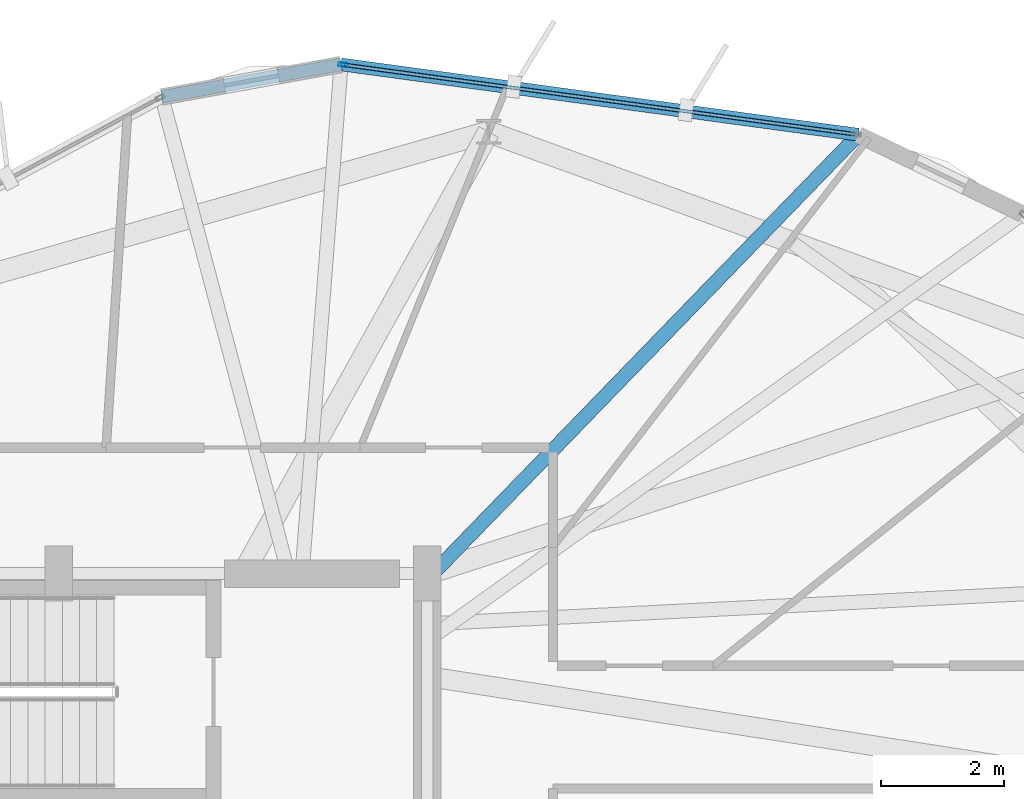
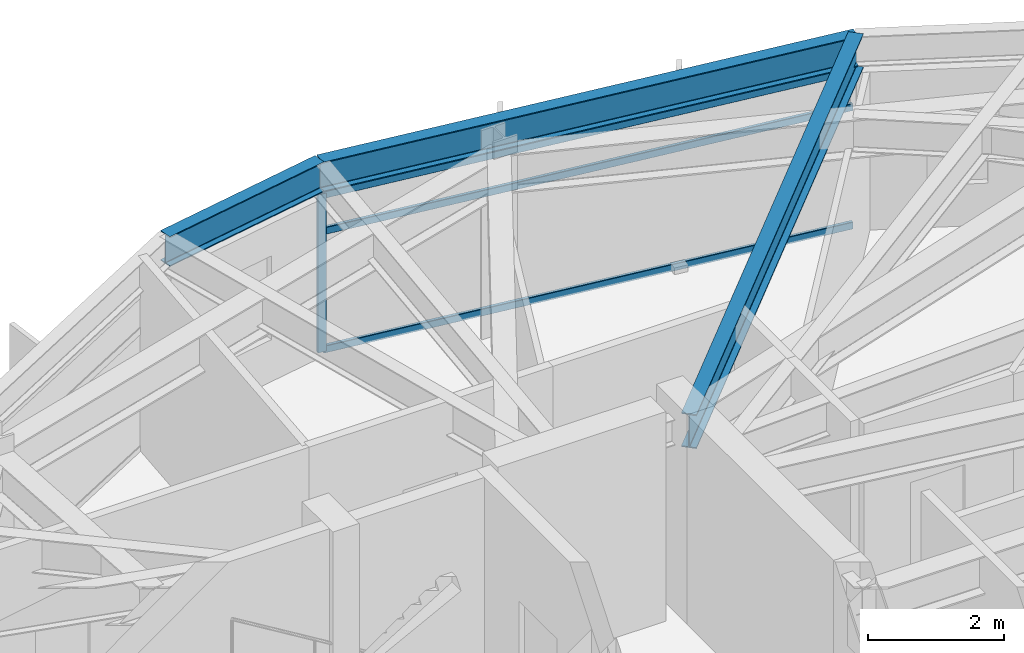
# One storey, part 18 of 26: 4 members, 3 beams, 1 element without a shape of its own.
"""IFC4 building model written with IfcOpenShell, lengths in metres."""

from ifc_helpers import new_model, si_unit, direction, frame, origin, origin_2d, place, context, subcontext, project, spatial, hollow_rectangle, i_section, extrude, material, layer, layer_set, material_profile, profile_set, type_object, element, aggregate, save


model = new_model("IFC4")

# Units and contexts
model_context = context("Model", 3, precision=1e-05, world=origin(), true_north=direction((0.0, 1.0)))
body_context = subcontext(model_context, "Body", "Model", "MODEL_VIEW")
ifc_project = project(units=[si_unit("LENGTHUNIT", "METRE"), si_unit("AREAUNIT", "SQUARE_METRE"), si_unit("VOLUMEUNIT", "CUBIC_METRE"), si_unit("PLANEANGLEUNIT", "RADIAN"), si_unit("MASSUNIT", "GRAM", prefix="KILO")], contexts=[model_context])

# Site, building, storey
site_placement = place(None, origin())
site = spatial("IfcSite", under=ifc_project, at=site_placement, CompositionType="ELEMENT")
building_placement = place(site_placement, origin())
building = spatial("IfcBuilding", under=site, at=building_placement, Name="Soratama Intermodal Tower", CompositionType="ELEMENT")
storey_placement = place(building_placement, frame((0.0, 0.0, 268.75)))
storey = spatial("IfcBuildingStorey", under=building, at=storey_placement, Name="L68", CompositionType="ELEMENT", Elevation=268.75)

# Beams
ifc_material_1 = material(Name="Structural steel ASTM A992 Grade 50", Category="steel")
ifc_material_profile_1 = material_profile(ifc_material_1, i_section(OverallWidth=0.2099609375, OverallDepth=0.537109375, WebThickness=0.010986328125, FlangeThickness=0.017333984375, FilletRadius=0.012939453125, at=origin_2d()), Name="W21X68")
ifc_profile_set_1 = profile_set([ifc_material_profile_1], Name="Structural steel ASTM A992 Grade 50")
beam_type_1 = type_object("IfcBeamType", Name="BM-SPN-W21X68", PredefinedType="SPANDREL", material=ifc_profile_set_1)
beam_1_placement = place(storey_placement, frame((51.618896484375, 42.14501953125, 3.181396484375), z_axis=(-0.990899257808, 0.1346055752, 0.0), x_axis=(-0.1346055752, -0.990899257808, 0.0)))
element("IfcBeam", 1, at=beam_1_placement, inside=storey, type_object=beam_type_1, Name="BS-L68-F01", PredefinedType="SPANDREL", context=body_context, shape_type="SweptSolid", body=[
    extrude(i_section(OverallWidth=0.2099609375, OverallDepth=0.537109375, WebThickness=0.010986328125, FlangeThickness=0.017333984375, FilletRadius=0.012939453125, at=origin_2d()), origin(), (0.0, 0.0, 1.0), 8.499267578125),
])
beam_2_placement = place(storey_placement, frame((43.197021484375, 43.2890625, 3.181396484375), z_axis=(-0.984026239341, -0.17802348241, 0.0), x_axis=(0.17802348241, -0.984026239341, 0.0)))
element("IfcBeam", 2, at=beam_2_placement, inside=storey, type_object=beam_type_1, Name="BS-L68-CRN01", PredefinedType="SPANDREL", context=body_context, shape_type="SweptSolid", body=[
    extrude(i_section(OverallWidth=0.2099609375, OverallDepth=0.537109375, WebThickness=0.010986328125, FlangeThickness=0.017333984375, FilletRadius=0.012939453125, at=origin_2d()), origin(), (0.0, 0.0, 1.0), 2.96630859375),
])
ifc_material_2 = material(Name="Structural steel ASTM A992 Grade 50", Category="steel")
ifc_material_profile_2 = material_profile(ifc_material_2, i_section(OverallWidth=0.22900390625, OverallDepth=0.612060546875, WebThickness=0.011962890625, FlangeThickness=0.01953125, FilletRadius=0.012939453125, at=origin_2d()), Name="W24X84")
ifc_profile_set_2 = profile_set([ifc_material_profile_2], Name="Structural steel ASTM A992 Grade 50")
beam_type_2 = type_object("IfcBeamType", Name="BM-TIE-W24X84", PredefinedType="BEAM", material=ifc_profile_set_2)
beam_3_placement = place(storey_placement, frame((44.6279296875, 34.93310546875, 3.14404296875), z_axis=(0.696022451731, 0.718020018304, 0.0), x_axis=(-0.718020018304, 0.696022451731, 0.0)))
element("IfcBeam", 3, at=beam_3_placement, inside=storey, type_object=beam_type_2, Name="BM-L68-TIE0-01", PredefinedType="BEAM", context=body_context, shape_type="SweptSolid", body=[
    extrude(i_section(OverallWidth=0.22900390625, OverallDepth=0.612060546875, WebThickness=0.011962890625, FlangeThickness=0.01953125, FilletRadius=0.012939453125, at=origin_2d()), origin(), (0.0, 0.0, 1.0), 10.044189453125),
])

# Curtain wall, members
ifc_material_3 = material(Name="Double-glazed aluminium curtain wall", Category="aluminium")
ifc_layer = layer(ifc_material_3, 0.159912109375)
ifc_layer_set = layer_set([ifc_layer], Name="Double-glazed aluminium curtain wall")
curtain_wall_type = type_object("IfcCurtainWallType", Name="CW-SYS-5", PredefinedType="NOTDEFINED", material=ifc_layer_set)
curtain_wall_placement = place(storey_placement, origin())
curtain_wall = element("IfcCurtainWall", 4, at=curtain_wall_placement, inside=storey, type_object=curtain_wall_type, Name="L68 Faceted Curtain Wall F01", PredefinedType="NOTDEFINED")
ifc_material_4 = material(Name="Anodised aluminium AA 6063-T6", Category="aluminium")
ifc_material_profile_3 = material_profile(ifc_material_4, hollow_rectangle(XDim=0.06494140625, YDim=0.139892578125, WallThickness=0.0048828125, InnerFilletRadius=0.0048828125, OuterFilletRadius=0.010009765625, at=origin_2d()), Name="CWM140X65X5")
ifc_profile_set_3 = profile_set([ifc_material_profile_3], Name="Anodised aluminium AA 6063-T6")
member_type_1 = type_object("IfcMemberType", Name="MT-CWM-5", PredefinedType="MULLION", material=ifc_profile_set_3)
member_1_placement = place(storey_placement, frame((43.2265625, 43.28515625, 0.0), z_axis=(0.0, 0.0, 1.0), x_axis=(-0.134673235263, -0.990890064389, 0.0)))
member_1 = element("IfcMember", 5, at=member_1_placement, type_object=member_type_1, Name="CW-5 mullion 2", PredefinedType="MULLION", context=body_context, shape_type="SweptSolid", body=[
    extrude(hollow_rectangle(XDim=0.06494140625, YDim=0.139892578125, WallThickness=0.0048828125, InnerFilletRadius=0.0048828125, OuterFilletRadius=0.010009765625, at=origin_2d()), origin(), (0.0, 0.0, 1.0), 2.8291015625),
])
ifc_material_5 = material(Name="Anodised aluminium AA 6063-T6", Category="aluminium")
ifc_material_profile_4 = material_profile(ifc_material_5, hollow_rectangle(XDim=0.06005859375, YDim=0.1298828125, WallThickness=0.0048828125, InnerFilletRadius=0.0048828125, OuterFilletRadius=0.010009765625, at=origin_2d()), Name="CWT130X60X5")
ifc_profile_set_4 = profile_set([ifc_material_profile_4], Name="Anodised aluminium AA 6063-T6")
member_type_2 = type_object("IfcMemberType", Name="TT-CWT-2", PredefinedType="USERDEFINED", material=ifc_profile_set_4)
member_2_placement = place(storey_placement, frame((51.559814453125, 42.152587890625, 0.030029296875), z_axis=(-0.990888050038, 0.134688055492, 0.0), x_axis=(-0.134688055492, -0.990888050038, 0.0)))
member_2 = element("IfcMember", 6, at=member_2_placement, type_object=member_type_2, Name="CW-5 transom 1.1", ObjectType="TRANSOM", PredefinedType="USERDEFINED", context=body_context, shape_type="SweptSolid", body=[
    extrude(hollow_rectangle(XDim=0.06005859375, YDim=0.1298828125, WallThickness=0.0048828125, InnerFilletRadius=0.0048828125, OuterFilletRadius=0.010009765625, at=origin_2d()), origin(), (0.0, 0.0, 1.0), 8.3798828125),
])
member_3_placement = place(storey_placement, frame((51.559814453125, 42.152587890625, 2.14990234375), z_axis=(-0.990888050038, 0.134688055492, 0.0), x_axis=(-0.134688055492, -0.990888050038, 0.0)))
member_3 = element("IfcMember", 7, at=member_3_placement, type_object=member_type_2, Name="CW-5 transom 1.2", ObjectType="TRANSOM", PredefinedType="USERDEFINED", context=body_context, shape_type="SweptSolid", body=[
    extrude(hollow_rectangle(XDim=0.06005859375, YDim=0.1298828125, WallThickness=0.0048828125, InnerFilletRadius=0.0048828125, OuterFilletRadius=0.010009765625, at=origin_2d()), origin(), (0.0, 0.0, 1.0), 8.3798828125),
])
member_4_placement = place(storey_placement, frame((51.559814453125, 42.152587890625, 2.799072265625), z_axis=(-0.990888050038, 0.134688055492, 0.0), x_axis=(-0.134688055492, -0.990888050038, 0.0)))
member_4 = element("IfcMember", 8, at=member_4_placement, type_object=member_type_2, Name="CW-5 transom 1.3", ObjectType="TRANSOM", PredefinedType="USERDEFINED", context=body_context, shape_type="SweptSolid", body=[
    extrude(hollow_rectangle(XDim=0.06005859375, YDim=0.1298828125, WallThickness=0.0048828125, InnerFilletRadius=0.0048828125, OuterFilletRadius=0.010009765625, at=origin_2d()), origin(), (0.0, 0.0, 1.0), 8.3798828125),
])
aggregate(curtain_wall, [member_1, member_2, member_3, member_4])

save(model, "model.ifc")
